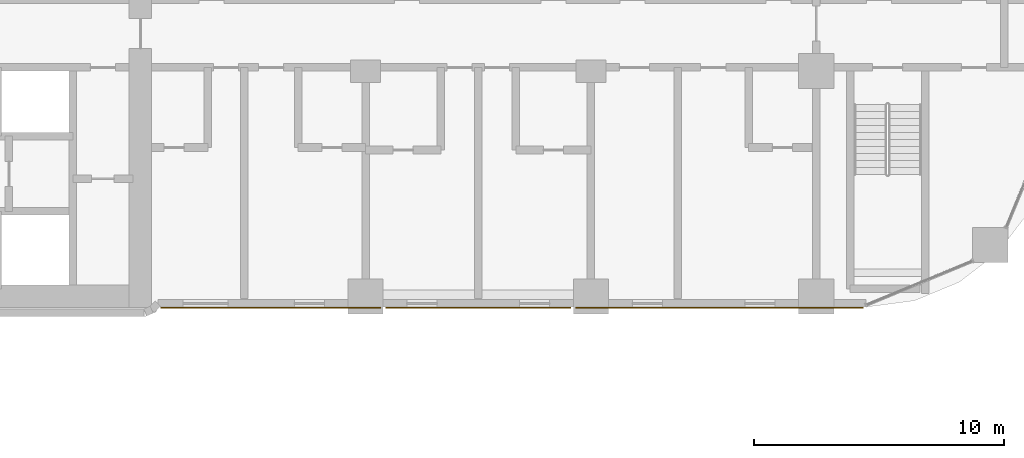
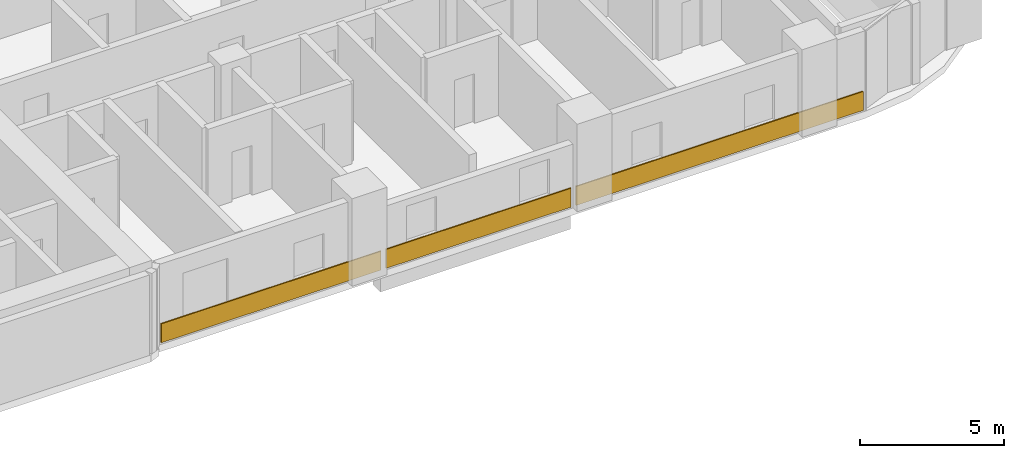
# One storey, part 28 of 31: 3 coverings.
"""IFC4 building model written with IfcOpenShell, lengths in metres."""

from ifc_helpers import new_model, si_unit, direction, frame, origin, origin_2d, place, context, subcontext, project, spatial, rectangle, extrude, material, layer, layer_set, type_object, element, save


model = new_model("IFC4")

# Units and contexts
model_context = context("Model", 3, precision=1e-05, world=origin(), true_north=direction((0.0, 1.0)))
body_context = subcontext(model_context, "Body", "Model", "MODEL_VIEW")
ifc_project = project(units=[si_unit("LENGTHUNIT", "METRE"), si_unit("AREAUNIT", "SQUARE_METRE"), si_unit("VOLUMEUNIT", "CUBIC_METRE"), si_unit("PLANEANGLEUNIT", "RADIAN"), si_unit("MASSUNIT", "GRAM", prefix="KILO")], contexts=[model_context])

# Site, building, storey
site_placement = place(None, origin())
site = spatial("IfcSite", under=ifc_project, at=site_placement, CompositionType="ELEMENT")
building_placement = place(site_placement, origin())
building = spatial("IfcBuilding", under=site, at=building_placement, Name="Ogive Portal Towers", CompositionType="ELEMENT")
storey_placement = place(building_placement, frame((0.0, 0.0, 40.89990234375)))
storey = spatial("IfcBuildingStorey", under=building, at=storey_placement, Name="L08", CompositionType="ELEMENT", Elevation=40.89990234375)

# Coverings
ifc_material = material(Name="Limestone cladding on lightweight block wall", Category="masonry")
ifc_layer = layer(ifc_material, 0.050048828125)
ifc_layer_set = layer_set([ifc_layer], Name="SCREEN PERFORATED STONE")
covering_type = type_object("IfcCoveringType", Name="SCREEN PERFORATED STONE", PredefinedType="CLADDING", material=ifc_layer_set)
covering_1_placement = place(storey_placement, frame((63.703369140625, 21.050048828125, 0.10009765625), z_axis=(0.0, 0.0, 1.0), x_axis=(1.0, 0.0, 0.0)))
element("IfcCovering", 1, at=covering_1_placement, inside=storey, type_object=covering_type, Name="Tracery screen", PredefinedType="CLADDING", context=body_context, shape_type="SweptSolid", body=[
    extrude(rectangle(XDim=8.793212890625, YDim=0.050048828125, at=origin_2d()), origin(), (0.0, 0.0, 1.0), 0.800048828125),
])
covering_2_placement = place(storey_placement, frame((72.0, 21.050048828125, 0.10009765625), z_axis=(0.0, 0.0, 1.0), x_axis=(1.0, 0.0, 0.0)))
element("IfcCovering", 2, at=covering_2_placement, inside=storey, type_object=covering_type, Name="Tracery screen", PredefinedType="CLADDING", context=body_context, shape_type="SweptSolid", body=[
    extrude(rectangle(XDim=7.39990234375, YDim=0.050048828125, at=origin_2d()), origin(), (0.0, 0.0, 1.0), 0.800048828125),
])
covering_3_placement = place(storey_placement, frame((81.64208984375, 21.050048828125, 0.10009765625), z_axis=(0.0, 0.0, 1.0), x_axis=(1.0, 0.0, 0.0)))
element("IfcCovering", 3, at=covering_3_placement, inside=storey, type_object=covering_type, Name="Tracery screen", PredefinedType="CLADDING", context=body_context, shape_type="SweptSolid", body=[
    extrude(rectangle(XDim=11.484130859375, YDim=0.050048828125, at=origin_2d()), origin(), (0.0, 0.0, 1.0), 0.800048828125),
])

save(model, "model.ifc")
